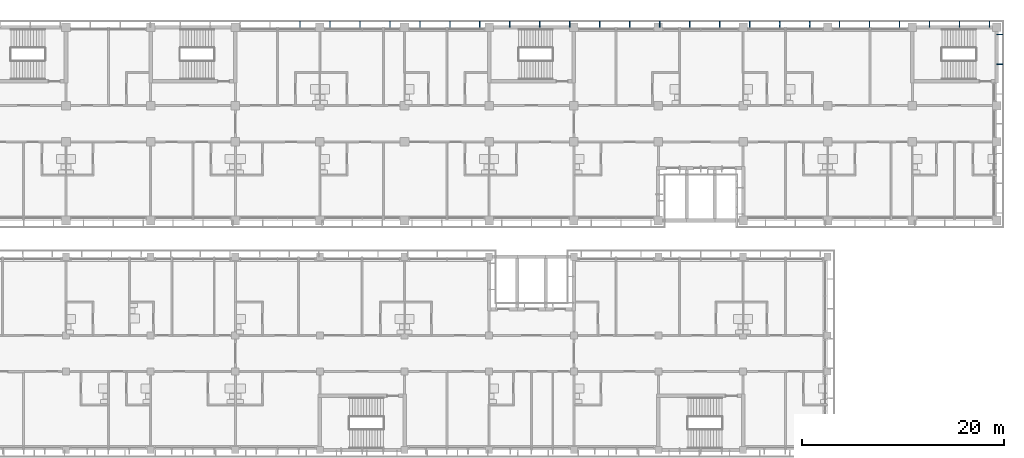
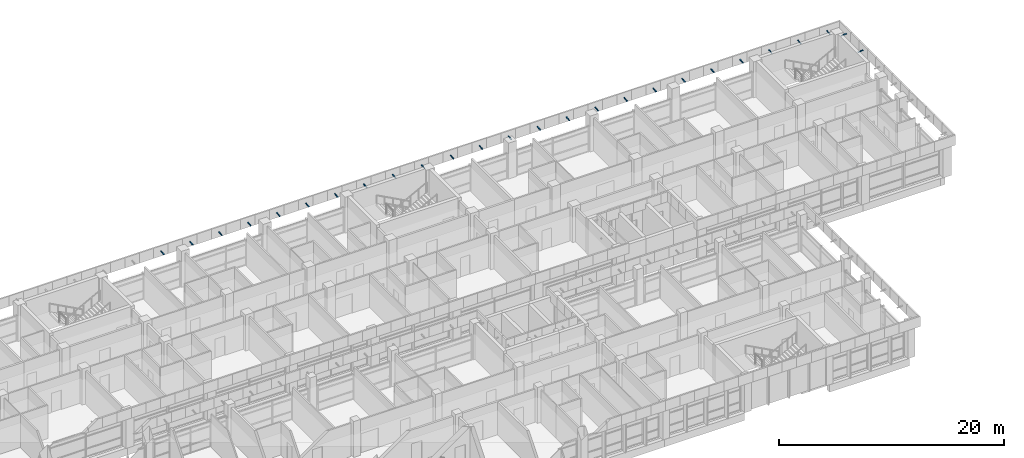
# One storey, part 61 of 74: 26 discrete accessories.
"""IFC4 building model written with IfcOpenShell, lengths in metres."""

import ifcopenshell
import ifcopenshell.guid

model = None  # the IFC model being written
_history = None  # IfcOwnerHistory: only IFC2X3 demands one
_inside = {}  # id of a spatial element -> (the spatial element, [elements in it])
_under = {}  # id of a project, library or spatial element -> (it, [spatial elements below it])
_declared = {}  # id of a project -> (the project, [libraries it declares])
_typed = {}  # id of a type object -> (the type object, [elements of that type])
_made_of = {}  # id of a material, layer set ... -> (it, [elements and type objects made of it])


def new_model(schema):
    """Start an empty IFC model of exactly this schema.

    Asked for "IFC4X3", IfcOpenShell would pick the latest addendum, in which some entities
    have other attributes; the version numbers below select the first issue.
    IFC2X3 requires an IfcOwnerHistory on every rooted entity: one is made here for all.
    """
    global model, _history
    if schema == "IFC4X3":
        model = ifcopenshell.file(schema_version=(4, 3, 0, 0))
    else:
        model = ifcopenshell.file(schema=schema)
    _inside.clear()
    _under.clear()
    _declared.clear()
    _typed.clear()
    _made_of.clear()
    _history = None
    if model.schema == "IFC2X3":
        org = make("IfcOrganization", Name="unknown")
        user = make(
            "IfcPersonAndOrganization",
            ThePerson=make("IfcPerson", FamilyName="unknown"),
            TheOrganization=org,
        )
        app = make(
            "IfcApplication",
            ApplicationDeveloper=org,
            Version="unknown",
            ApplicationFullName="unknown",
            ApplicationIdentifier="unknown",
        )
        _history = make(
            "IfcOwnerHistory",
            OwningUser=user,
            OwningApplication=app,
            ChangeAction="ADDED",
            CreationDate=0,
        )
    return model


def make(cls, **values):
    """One entity of the class cls with the attributes given. An attribute that is None is left unset."""
    return model.create_entity(
        cls, **{name: value for name, value in values.items() if value is not None}
    )


def rooted(cls, **values):
    """An entity with a GlobalId (a new one), such as an element, a storey or a relation."""
    return make(cls, GlobalId=ifcopenshell.guid.new(), OwnerHistory=_history, **values)


def si_unit(unit_type, name, prefix=None):
    """IfcSIUnit, for example si_unit("LENGTHUNIT", "METRE", prefix="MILLI")."""
    return make("IfcSIUnit", UnitType=unit_type, Prefix=prefix, Name=name)


def assignment(units):
    """IfcUnitAssignment: the units of a project."""
    return None if units is None else make("IfcUnitAssignment", Units=units)


def point(xyz):
    """IfcCartesianPoint."""
    return None if xyz is None else make("IfcCartesianPoint", Coordinates=xyz)


def direction(xyz):
    """IfcDirection."""
    return None if xyz is None else make("IfcDirection", DirectionRatios=xyz)


def frame(location, z_axis=None, x_axis=None):
    """IfcAxis2Placement3D, a coordinate frame: its origin and axes. An axis left out is left unset."""
    return make(
        "IfcAxis2Placement3D",
        Location=point(location),
        Axis=direction(z_axis),
        RefDirection=direction(x_axis),
    )


def frame_2d(location, x_axis=None):
    """IfcAxis2Placement2D, a coordinate frame in the plane: its origin and x axis."""
    return make(
        "IfcAxis2Placement2D", Location=point(location), RefDirection=direction(x_axis)
    )


def origin():
    """The frame at (0, 0, 0) with its axes left unset."""
    return frame((0.0, 0.0, 0.0))


def origin_2d():
    """The frame at (0, 0) in the plane with its x axis left unset."""
    return frame_2d((0.0, 0.0))


def place(relative_to, where):
    """IfcLocalPlacement: puts the frame where relative to a parent placement (None: the world)."""
    return make(
        "IfcLocalPlacement", PlacementRelTo=relative_to, RelativePlacement=where
    )


def context(
    kind, dimensions, precision=None, world=None, true_north=None, identifier=None
):
    """IfcGeometricRepresentationContext, for example the 3D "Model" context."""
    return make(
        "IfcGeometricRepresentationContext",
        ContextIdentifier=identifier,
        ContextType=kind,
        CoordinateSpaceDimension=dimensions,
        Precision=precision,
        WorldCoordinateSystem=world,
        TrueNorth=true_north,
    )


def subcontext(parent, identifier, kind, view, scale=None):
    """IfcGeometricRepresentationSubContext, for example "Body" below "Model"."""
    return make(
        "IfcGeometricRepresentationSubContext",
        ContextIdentifier=identifier,
        ContextType=kind,
        ParentContext=parent,
        TargetScale=scale,
        TargetView=view,
    )


def project(units=None, contexts=None):
    """IfcProject with its units and contexts."""
    return rooted(
        "IfcProject",
        Name="project",
        RepresentationContexts=contexts,
        UnitsInContext=assignment(units),
    )


def spatial(cls, under=None, at=None, **own):
    """A site, building, storey or space (cls), placed at a placement, below another one or the project."""
    s = rooted(cls, ObjectPlacement=at, **own)
    if under is not None:
        _under.setdefault(under.id(), (under, []))[1].append(s)
    return s


def profile(cls, at=None, kind="AREA", **sizes):
    """A parametric profile (cls). Its sizes go by their IFC names, for example OverallWidth=200.0."""
    return make(cls, ProfileType=kind, Position=at, **sizes)


def rectangle(**sizes):
    """IfcRectangleProfileDef."""
    return profile("IfcRectangleProfileDef", **sizes)


def extrude(swept, where, along, depth):
    """IfcExtrudedAreaSolid: the profile swept, set in the frame where, extruded along a direction by depth."""
    return make(
        "IfcExtrudedAreaSolid",
        SweptArea=swept,
        Position=where,
        ExtrudedDirection=direction(along),
        Depth=depth,
    )


def shape(context_of_items, identifier, shape_type, items):
    """IfcShapeRepresentation: the items that make up one representation, for example the "Body"."""
    return make(
        "IfcShapeRepresentation",
        ContextOfItems=context_of_items,
        RepresentationIdentifier=identifier,
        RepresentationType=shape_type,
        Items=items,
    )


def material(Name=None, Category=None):
    """IfcMaterial."""
    return make("IfcMaterial", Name=Name, Category=Category)


def material_profile(
    of_material, cross_section, Name=None, Category=None, Priority=None
):
    """IfcMaterialProfile: a cross section and its material."""
    return make(
        "IfcMaterialProfile",
        Name=Name,
        Material=of_material,
        Profile=cross_section,
        Priority=Priority,
        Category=Category,
    )


def profile_set(profiles, Name=None, composite=None):
    """IfcMaterialProfileSet."""
    return make(
        "IfcMaterialProfileSet",
        Name=Name,
        MaterialProfiles=profiles,
        CompositeProfile=composite,
    )


def made_of(thing, what):
    """Note that an element or type object is made of a material, layer set ...; save() writes the relation."""
    if what is not None:
        _made_of.setdefault(what.id(), (what, []))[1].append(thing)
    return thing


def type_object(cls, material=None, **own):
    """A type object (cls), such as IfcWallType, which elements share."""
    return made_of(rooted(cls, **own), material)


def element(
    cls,
    number,
    at=None,
    inside=None,
    cuts=None,
    type_object=None,
    material=None,
    context=None,
    identifier="Body",
    shape_type=None,
    held_by="IfcProductDefinitionShape",
    body=None,
    shapes=None,
    **own,
):
    """One element of the class cls, such as IfcWall. Its Tag is "e" and its number.

    at: its placement. inside: the storey or other place that contains it. cuts: it is an
    opening in that element (IfcRelVoidsElement). A single representation is given by context,
    identifier, shape_type and body (its items); several are given by shapes. held_by: the class
    of the entity that holds the representations. save() writes the other relations.
    """
    e = rooted(cls, Tag="e%d" % number, ObjectPlacement=at, **own)
    if body is not None:
        shapes = [shape(context, identifier, shape_type, body)]
    if shapes is not None:
        e.Representation = make(held_by, Representations=shapes)
    if inside is not None:
        _inside.setdefault(inside.id(), (inside, []))[1].append(e)
    if cuts is not None:
        rooted(
            "IfcRelVoidsElement", RelatingBuildingElement=cuts, RelatedOpeningElement=e
        )
    if type_object is not None:
        _typed.setdefault(type_object.id(), (type_object, []))[1].append(e)
    return made_of(e, material)


def aggregate(whole, parts):
    """IfcRelAggregates: a whole, such as a stair, and the parts it consists of."""
    return rooted("IfcRelAggregates", RelatingObject=whole, RelatedObjects=parts)


def save(model, path):
    """Write the relations noted so far, then the file.

    IfcRelAggregates (storeys below a building ...), IfcRelContainedInSpatialStructure (elements
    in a storey), IfcRelDefinesByType, IfcRelAssociatesMaterial and IfcRelDeclares: one each for
    every whole, place, type object, material and project.
    """
    for whole, parts in _under.values():
        aggregate(whole, parts)
    for where, things in _inside.values():
        rooted(
            "IfcRelContainedInSpatialStructure",
            RelatedElements=things,
            RelatingStructure=where,
        )
    for kind, things in _typed.values():
        rooted("IfcRelDefinesByType", RelatedObjects=things, RelatingType=kind)
    for what, things in _made_of.values():
        rooted("IfcRelAssociatesMaterial", RelatedObjects=things, RelatingMaterial=what)
    for by, libraries in _declared.values():
        rooted("IfcRelDeclares", RelatingContext=by, RelatedDefinitions=libraries)
    model.write(path)


model = new_model("IFC4")

# Units and contexts
model_context = context("Model", 3, precision=1e-05, world=origin(), true_north=direction((0.0, 1.0)))
body_context = subcontext(model_context, "Body", "Model", "MODEL_VIEW")
ifc_project = project(units=[si_unit("LENGTHUNIT", "METRE"), si_unit("AREAUNIT", "SQUARE_METRE"), si_unit("VOLUMEUNIT", "CUBIC_METRE"), si_unit("PLANEANGLEUNIT", "RADIAN"), si_unit("MASSUNIT", "GRAM", prefix="KILO")], contexts=[model_context])

# Site, building, storey
site_placement = place(None, origin())
site = spatial("IfcSite", under=ifc_project, at=site_placement, CompositionType="ELEMENT")
building_placement = place(site_placement, origin())
building = spatial("IfcBuilding", under=site, at=building_placement, Name="Bougainvillea Quay General Hospital", CompositionType="ELEMENT")
storey_placement = place(building_placement, frame((0.0, 0.0, 21.0)))
storey = spatial("IfcBuildingStorey", under=building, at=storey_placement, Name="L04", CompositionType="ELEMENT", Elevation=21.0)

# Discrete accessories
ifc_material = material(Name="Stainless steel bracket, grade 316", Category="steel")
ifc_material_profile = material_profile(ifc_material, rectangle(XDim=0.080078125, YDim=0.050048828125, at=origin_2d()))
ifc_profile_set = profile_set([ifc_material_profile], Name="Stainless steel bracket, grade 316")
discrete_accessory_type = type_object("IfcDiscreteAccessoryType", Name="Stainless steel stand-off bracket 80x50", PredefinedType="BRACKET", material=ifc_profile_set)
for number, where, z_axis, x_axis, name in (
    (1, (184.05615234375, 159.60009765625, 3.840087890625), (0.0, 0.994134149227, 0.108154026004), (-1.0, 0.0, 0.0), "Fascia bracket e0 1"),
    (2, (181.081298828125, 159.60009765625, 3.840087890625), (0.0, 0.994134149227, 0.108154026004), (-1.0, 0.0, 0.0), "Fascia bracket e0 3"),
    (3, (178.106201171875, 159.60009765625, 3.840087890625), (0.0, 0.994134149227, 0.108154026004), (-1.0, 0.0, 0.0), "Fascia bracket e0 5"),
    (4, (175.13134765625, 159.60009765625, 3.840087890625), (0.0, 0.994134149227, 0.108154026004), (-1.0, 0.0, 0.0), "Fascia bracket e0 7"),
    (5, (172.15625, 159.60009765625, 3.840087890625), (0.0, 0.994134149227, 0.108154026004), (-1.0, 0.0, 0.0), "Fascia bracket e0 9"),
    (6, (169.18115234375, 159.60009765625, 3.840087890625), (0.0, 0.994134149227, 0.108154026004), (-1.0, 0.0, 0.0), "Fascia bracket e0 11"),
    (7, (166.206298828125, 159.60009765625, 3.840087890625), (0.0, 0.994134149227, 0.108154026004), (-1.0, 0.0, 0.0), "Fascia bracket e0 13"),
    (8, (163.231201171875, 159.60009765625, 3.840087890625), (0.0, 0.994134149227, 0.108154026004), (-1.0, 0.0, 0.0), "Fascia bracket e0 15"),
    (9, (160.25634765625, 159.60009765625, 3.840087890625), (0.0, 0.994134149227, 0.108154026004), (-1.0, 0.0, 0.0), "Fascia bracket e0 17"),
    (10, (157.28125, 159.60009765625, 3.840087890625), (0.0, 0.994134149227, 0.108154026004), (-1.0, 0.0, 0.0), "Fascia bracket e0 19"),
    (11, (154.30615234375, 159.60009765625, 3.840087890625), (0.0, 0.994134149227, 0.108154026004), (-1.0, 0.0, 0.0), "Fascia bracket e0 21"),
    (12, (151.331298828125, 159.60009765625, 3.840087890625), (0.0, 0.994134149227, 0.108154026004), (-1.0, 0.0, 0.0), "Fascia bracket e0 23"),
    (13, (148.356201171875, 159.60009765625, 3.840087890625), (0.0, 0.994134149227, 0.108154026004), (-1.0, 0.0, 0.0), "Fascia bracket e0 25"),
    (14, (145.38134765625, 159.60009765625, 3.840087890625), (0.0, 0.994134149227, 0.108154026004), (-1.0, 0.0, 0.0), "Fascia bracket e0 27"),
    (15, (142.40625, 159.60009765625, 3.840087890625), (0.0, 0.994134149227, 0.108154026004), (-1.0, 0.0, 0.0), "Fascia bracket e0 29"),
    (16, (139.43115234375, 159.60009765625, 3.840087890625), (0.0, 0.994134149227, 0.108154026004), (-1.0, 0.0, 0.0), "Fascia bracket e0 31"),
    (17, (136.456298828125, 159.60009765625, 3.840087890625), (0.0, 0.994134149227, 0.108154026004), (-1.0, 0.0, 0.0), "Fascia bracket e0 33"),
    (18, (133.481201171875, 159.60009765625, 3.840087890625), (0.0, 0.994134149227, 0.108154026004), (-1.0, 0.0, 0.0), "Fascia bracket e0 35"),
    (19, (130.50634765625, 159.60009765625, 3.840087890625), (0.0, 0.994134149227, 0.108154026004), (-1.0, 0.0, 0.0), "Fascia bracket e0 37"),
    (20, (127.53125, 159.60009765625, 3.840087890625), (0.0, 0.994134149227, 0.108154026004), (-1.0, 0.0, 0.0), "Fascia bracket e0 39"),
    (21, (124.55615234375, 159.60009765625, 3.840087890625), (0.0, 0.994134149227, 0.108154026004), (-1.0, 0.0, 0.0), "Fascia bracket e0 41"),
    (22, (121.581298828125, 159.60009765625, 3.840087890625), (0.0, 0.994134149227, 0.108154026004), (-1.0, 0.0, 0.0), "Fascia bracket e0 43"),
    (23, (118.606201171875, 159.60009765625, 3.840087890625), (0.0, 0.994134149227, 0.108154026004), (-1.0, 0.0, 0.0), "Fascia bracket e0 45"),
    (24, (115.63134765625, 159.60009765625, 3.840087890625), (0.0, 0.994134149227, 0.108154026004), (-1.0, 0.0, 0.0), "Fascia bracket e0 47"),
):
    element("IfcDiscreteAccessory", number, at=place(storey_placement, frame(where, z_axis=z_axis, x_axis=x_axis)), inside=storey, type_object=discrete_accessory_type, Name=name, PredefinedType="BRACKET", context=body_context, shape_type="SweptSolid", body=[
        extrude(rectangle(XDim=0.080078125, YDim=0.050048828125, at=origin_2d()), origin(), (0.0, 0.0, 1.0), 0.552978515625),
    ])
for number, where, z_axis, x_axis, name in (
    (25, (184.800048828125, 155.90771484375, 3.840087890625), (0.994139309541, 0.0, 0.108106582706), (0.0, 1.0, 0.0), "Fascia bracket e0 233"),
    (26, (184.800048828125, 158.861572265625, 3.840087890625), (0.994139309541, 0.0, 0.108106582706), (0.0, 1.0, 0.0), "Fascia bracket e0 235"),
):
    element("IfcDiscreteAccessory", number, at=place(storey_placement, frame(where, z_axis=z_axis, x_axis=x_axis)), inside=storey, type_object=discrete_accessory_type, Name=name, PredefinedType="BRACKET", context=body_context, shape_type="SweptSolid", body=[
        extrude(rectangle(XDim=0.080078125, YDim=0.050048828125, at=origin_2d()), origin(), (0.0, 0.0, 1.0), 0.55322265625),
    ])

save(model, "model.ifc")
